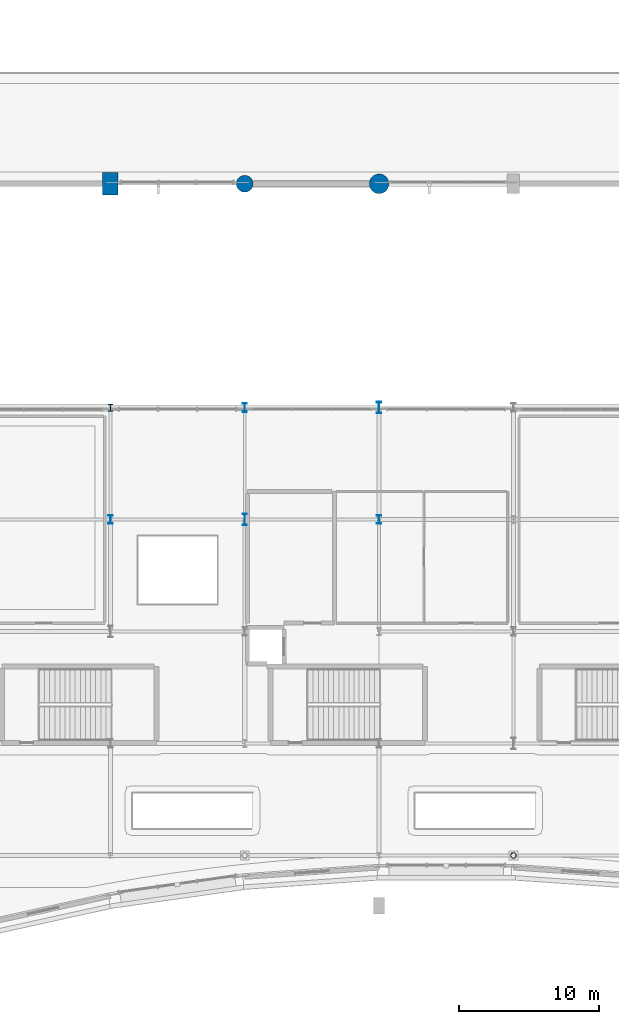
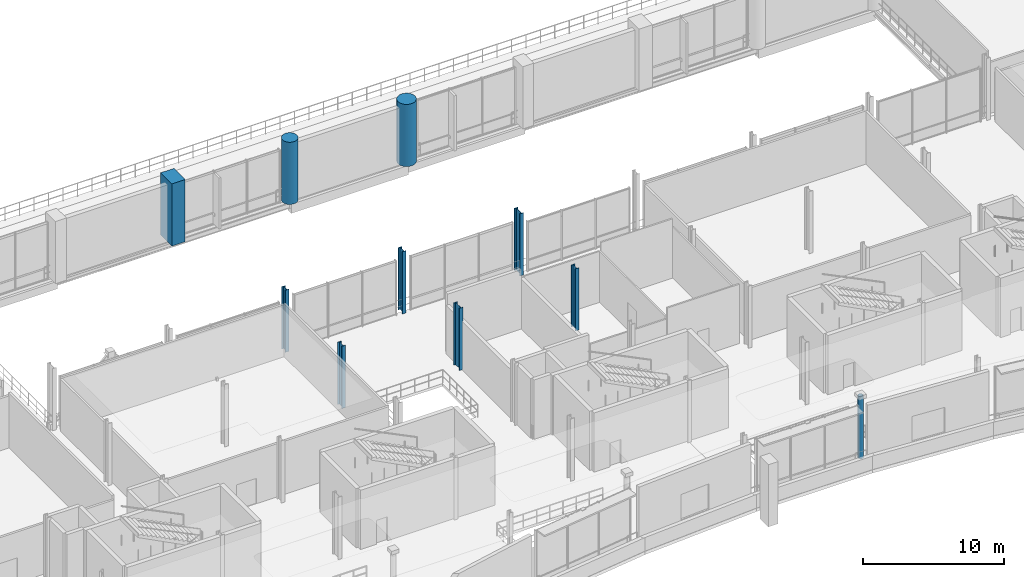
# One storey, part 4 of 129: 10 columns.
"""IFC4 building model written with IfcOpenShell, lengths in metres."""

from ifc_helpers import new_model, si_unit, direction, frame, origin, origin_2d, place, context, subcontext, project, spatial, rectangle, circle, hollow_circle, i_section, extrude, material, material_profile, profile_set, type_object, element, save


model = new_model("IFC4")

# Units and contexts
model_context = context("Model", 3, precision=1e-05, world=origin(), true_north=direction((0.0, 1.0)))
body_context = subcontext(model_context, "Body", "Model", "MODEL_VIEW")
ifc_project = project(units=[si_unit("LENGTHUNIT", "METRE"), si_unit("AREAUNIT", "SQUARE_METRE"), si_unit("VOLUMEUNIT", "CUBIC_METRE"), si_unit("PLANEANGLEUNIT", "RADIAN"), si_unit("MASSUNIT", "GRAM", prefix="KILO")], contexts=[model_context])

# Site, building, storey
site_placement = place(None, origin())
site = spatial("IfcSite", under=ifc_project, at=site_placement, CompositionType="ELEMENT")
building_placement = place(site_placement, origin())
building = spatial("IfcBuilding", under=site, at=building_placement, Name="Danafjord Basin Convention Centre", CompositionType="ELEMENT")
storey_placement = place(building_placement, frame((0.0, 0.0, 6.0)))
storey = spatial("IfcBuildingStorey", under=building, at=storey_placement, Name="L01", CompositionType="ELEMENT", Elevation=6.0)

# Columns
ifc_material_1 = material(Name="Steel S355", Category="steel")
ifc_material_profile_1 = material_profile(ifc_material_1, hollow_circle(Radius=0.203125, WallThickness=0.02001953125, at=origin_2d()), Name="CHS 406.4x20.0")
ifc_profile_set_1 = profile_set([ifc_material_profile_1], Name="Steel S355")
column_type_1 = type_object("IfcColumnType", Name="COL-C-CHS406", PredefinedType="COLUMN", material=ifc_profile_set_1)
column_1_placement = place(storey_placement, frame((67.199951171875, 8.0, 0.0), z_axis=(0.0, 0.0, 1.0), x_axis=(1.0, 0.0, 0.0)))
element("IfcColumn", 1, at=column_1_placement, inside=storey, type_object=column_type_1, Name="L01 column C-CHS406 at (67.2, 8.0)", PredefinedType="COLUMN", context=body_context, shape_type="SweptSolid", body=[
    extrude(hollow_circle(Radius=0.203125, WallThickness=0.02001953125, at=origin_2d()), origin(), (0.0, 0.0, 1.0), 5.39990234375),
])
ifc_material_profile_2 = material_profile(ifc_material_1, i_section(OverallWidth=0.300048828125, OverallDepth=0.60009765625, WebThickness=0.015380859375, FlangeThickness=0.030029296875, FilletRadius=0.027099609375, at=origin_2d()), Name="HEB 600")
ifc_profile_set_2 = profile_set([ifc_material_profile_2], Name="Steel S355")
column_type_2 = type_object("IfcColumnType", Name="COL-C-HEB600", PredefinedType="COLUMN", material=ifc_profile_set_2)
column_2_placement = place(storey_placement, frame((57.60009765625, 32.0, 0.0), z_axis=(0.0, 0.0, 1.0), x_axis=(1.0, 0.0, 0.0)))
element("IfcColumn", 2, at=column_2_placement, inside=storey, type_object=column_type_2, Name="L01 column C-HEB600 at (57.6, 32.0)", PredefinedType="COLUMN", context=body_context, shape_type="SweptSolid", body=[
    extrude(i_section(OverallWidth=0.300048828125, OverallDepth=0.60009765625, WebThickness=0.015380859375, FlangeThickness=0.030029296875, FilletRadius=0.027099609375, at=origin_2d()), origin(), (0.0, 0.0, 1.0), 5.39990234375),
])
ifc_material_profile_3 = material_profile(ifc_material_1, i_section(OverallWidth=0.305908203125, OverallDepth=0.52392578125, WebThickness=0.02099609375, FlangeThickness=0.0400390625, FilletRadius=0.027099609375, at=origin_2d()), Name="HEM 500")
ifc_profile_set_3 = profile_set([ifc_material_profile_3], Name="Steel S355")
column_type_3 = type_object("IfcColumnType", Name="COL-C-HEM500", PredefinedType="COLUMN", material=ifc_profile_set_3)
column_3_placement = place(storey_placement, frame((38.39990234375, 40.0, 0.0), z_axis=(0.0, 0.0, 1.0), x_axis=(1.0, 0.0, 0.0)))
element("IfcColumn", 3, at=column_3_placement, inside=storey, type_object=column_type_3, Name="L01 column C-HEM500 at (38.4, 40.0)", PredefinedType="COLUMN", context=body_context, shape_type="SweptSolid", body=[
    extrude(i_section(OverallWidth=0.305908203125, OverallDepth=0.52392578125, WebThickness=0.02099609375, FlangeThickness=0.0400390625, FilletRadius=0.027099609375, at=origin_2d()), origin(), (0.0, 0.0, 1.0), 5.39990234375),
])
ifc_material_profile_4 = material_profile(ifc_material_1, i_section(OverallWidth=0.304931640625, OverallDepth=0.6201171875, WebThickness=0.02099609375, FlangeThickness=0.0400390625, FilletRadius=0.027099609375, at=origin_2d()), Name="HEM 600")
ifc_profile_set_4 = profile_set([ifc_material_profile_4], Name="Steel S355")
column_type_4 = type_object("IfcColumnType", Name="COL-C-HEM600", PredefinedType="COLUMN", material=ifc_profile_set_4)
for number, where, z_axis, x_axis, name in (
    (4, (38.39990234375, 32.0, 0.0), (0.0, 0.0, 1.0), (1.0, 0.0, 0.0), "L01 column C-HEM600 at (38.4, 32.0)"),
    (5, (48.0, 40.0, 0.0), (0.0, 0.0, 1.0), (1.0, 0.0, 0.0), "L01 column C-HEM600 at (48.0, 40.0)"),
):
    element("IfcColumn", number, at=place(storey_placement, frame(where, z_axis=z_axis, x_axis=x_axis)), inside=storey, type_object=column_type_4, Name=name, PredefinedType="COLUMN", context=body_context, shape_type="SweptSolid", body=[
        extrude(i_section(OverallWidth=0.304931640625, OverallDepth=0.6201171875, WebThickness=0.02099609375, FlangeThickness=0.0400390625, FilletRadius=0.027099609375, at=origin_2d()), origin(), (0.0, 0.0, 1.0), 5.39990234375),
    ])
ifc_material_profile_5 = material_profile(ifc_material_1, i_section(OverallWidth=0.302978515625, OverallDepth=0.81396484375, WebThickness=0.02099609375, FlangeThickness=0.0400390625, FilletRadius=0.030029296875, at=origin_2d()), Name="HEM 800")
ifc_profile_set_5 = profile_set([ifc_material_profile_5], Name="Steel S355")
column_type_5 = type_object("IfcColumnType", Name="COL-C-HEM800", PredefinedType="COLUMN", material=ifc_profile_set_5)
for number, where, z_axis, x_axis, name in (
    (6, (48.0, 32.0, 0.0), (0.0, 0.0, 1.0), (1.0, 0.0, 0.0), "L01 column C-HEM800 at (48.0, 32.0)"),
    (7, (57.60009765625, 40.0, 0.0), (0.0, 0.0, 1.0), (1.0, 0.0, 0.0), "L01 column C-HEM800 at (57.6, 40.0)"),
):
    element("IfcColumn", number, at=place(storey_placement, frame(where, z_axis=z_axis, x_axis=x_axis)), inside=storey, type_object=column_type_5, Name=name, PredefinedType="COLUMN", context=body_context, shape_type="SweptSolid", body=[
        extrude(i_section(OverallWidth=0.302978515625, OverallDepth=0.81396484375, WebThickness=0.02099609375, FlangeThickness=0.0400390625, FilletRadius=0.030029296875, at=origin_2d()), origin(), (0.0, 0.0, 1.0), 5.39990234375),
    ])
ifc_material_2 = material(Name="Concrete C50/60", Category="concrete")
ifc_material_profile_6 = material_profile(ifc_material_2, rectangle(XDim=1.10009765625, YDim=1.60009765625, at=origin_2d()), Name="RC 1600x1100")
ifc_profile_set_6 = profile_set([ifc_material_profile_6], Name="Concrete C50/60")
column_type_6 = type_object("IfcColumnType", Name="COL-C-RC1600", PredefinedType="COLUMN", material=ifc_profile_set_6)
column_4_placement = place(storey_placement, frame((38.39990234375, 56.0, 0.0), z_axis=(0.0, 0.0, 1.0), x_axis=(1.0, 0.0, 0.0)))
element("IfcColumn", 8, at=column_4_placement, inside=storey, type_object=column_type_6, Name="L01 column C-RC1600 at (38.4, 56.0)", PredefinedType="COLUMN", context=body_context, shape_type="SweptSolid", body=[
    extrude(rectangle(XDim=1.10009765625, YDim=1.60009765625, at=origin_2d()), origin(), (0.0, 0.0, 1.0), 5.39990234375),
])
ifc_material_profile_7 = material_profile(ifc_material_2, circle(Radius=0.60009765625, at=origin_2d()), Name="RC D1200")
ifc_profile_set_7 = profile_set([ifc_material_profile_7], Name="Concrete C50/60")
column_type_7 = type_object("IfcColumnType", Name="COL-C-RCD1200", PredefinedType="COLUMN", material=ifc_profile_set_7)
column_5_placement = place(storey_placement, frame((48.0, 56.0, 0.0), z_axis=(0.0, 0.0, 1.0), x_axis=(1.0, 0.0, 0.0)))
element("IfcColumn", 9, at=column_5_placement, inside=storey, type_object=column_type_7, Name="L01 column C-RCD1200 at (48.0, 56.0)", PredefinedType="COLUMN", context=body_context, shape_type="SweptSolid", body=[
    extrude(circle(Radius=0.60009765625, at=origin_2d()), origin(), (0.0, 0.0, 1.0), 5.39990234375),
])
ifc_material_profile_8 = material_profile(ifc_material_2, circle(Radius=0.699951171875, at=origin_2d()), Name="RC D1400")
ifc_profile_set_8 = profile_set([ifc_material_profile_8], Name="Concrete C50/60")
column_type_8 = type_object("IfcColumnType", Name="COL-C-RCD1400", PredefinedType="COLUMN", material=ifc_profile_set_8)
column_6_placement = place(storey_placement, frame((57.60009765625, 56.0, 0.0), z_axis=(0.0, 0.0, 1.0), x_axis=(1.0, 0.0, 0.0)))
element("IfcColumn", 10, at=column_6_placement, inside=storey, type_object=column_type_8, Name="L01 column C-RCD1400 at (57.6, 56.0)", PredefinedType="COLUMN", context=body_context, shape_type="SweptSolid", body=[
    extrude(circle(Radius=0.699951171875, at=origin_2d()), origin(), (0.0, 0.0, 1.0), 5.39990234375),
])

save(model, "model.ifc")
